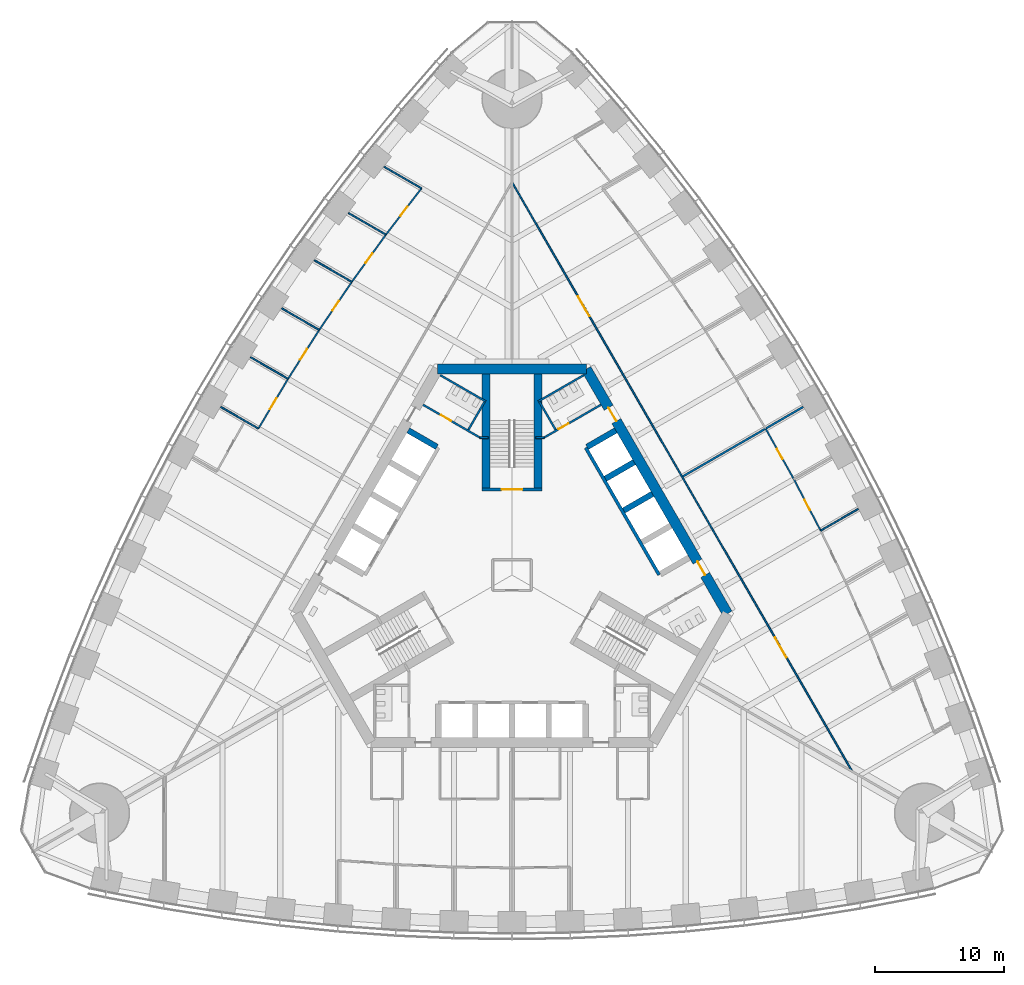
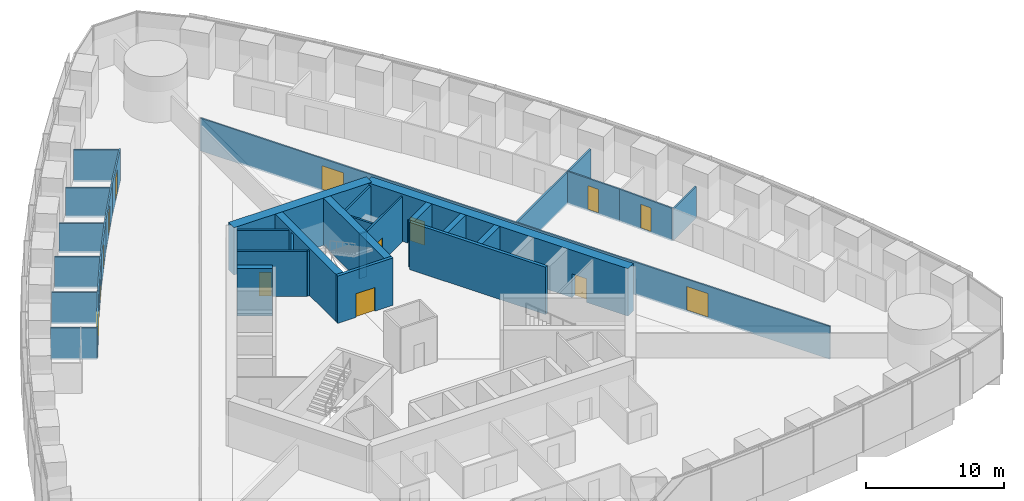
# One storey, part 12 of 18: 34 walls, 14 doors, 14 openings.
"""IFC4 building model written with IfcOpenShell, lengths in metres."""

from ifc_helpers import new_model, si_unit, direction, frame, frame_2d, origin, place, context, subcontext, project, spatial, rectangle, extrude, material, layer, layer_set, type_object, element, fill, save


model = new_model("IFC4")

# Units and contexts
model_context = context("Model", 3, precision=1e-05, world=origin(), true_north=direction((0.0, 1.0)))
body_context = subcontext(model_context, "Body", "Model", "MODEL_VIEW")
ifc_project = project(units=[si_unit("LENGTHUNIT", "METRE"), si_unit("AREAUNIT", "SQUARE_METRE"), si_unit("VOLUMEUNIT", "CUBIC_METRE"), si_unit("PLANEANGLEUNIT", "RADIAN"), si_unit("MASSUNIT", "GRAM", prefix="KILO")], contexts=[model_context])

# Site, building, storey
site_placement = place(None, origin())
site = spatial("IfcSite", under=ifc_project, at=site_placement, CompositionType="ELEMENT")
building_placement = place(site_placement, origin())
building = spatial("IfcBuilding", under=site, at=building_placement, Name="Trefoil Bronze Tower", CompositionType="ELEMENT")
storey_placement = place(building_placement, frame((0.0, 0.0, 75.300048828125)))
storey = spatial("IfcBuildingStorey", under=building, at=storey_placement, Name="L17", CompositionType="ELEMENT", Elevation=75.300048828125)

# Wall, openings, doors
ifc_material_1 = material(Name="Concrete B80", Category="concrete")
ifc_layer_1 = layer(ifc_material_1, 0.800048828125)
ifc_layer_set_1 = layer_set([ifc_layer_1], Name="Core wall 800")
wall_type_1 = type_object("IfcWallType", Name="Core wall 800", PredefinedType="SHEAR", material=ifc_layer_set_1)
wall_1_placement = place(storey_placement, frame((16.7431640625, -3.0, 0.0), z_axis=(0.0, 0.0, 1.0), x_axis=(-0.500002442456, 0.866023993627, 0.0)))
wall_1 = element("IfcWall", 1, at=wall_1_placement, inside=storey, type_object=wall_type_1, Name="Core long wall 2 L17", PredefinedType="SHEAR", context=body_context, shape_type="SweptSolid", body=[
    extrude(rectangle(XDim=21.939453125, YDim=0.800048828125, at=frame_2d((10.9697265625, 0.0))), origin(), (0.0, 0.0, 1.0), 4.199951171875),
])
opening_1_placement = place(wall_1_placement, frame((17.269775390625, 0.0, 0.0)))
opening_1 = element("IfcOpeningElement", 2, at=opening_1_placement, cuts=wall_1, Name="Opening D2", PredefinedType="OPENING", context=body_context, shape_type="SweptSolid", body=[
    extrude(rectangle(XDim=1.199951171875, YDim=2.10009765625, at=frame_2d((0.60009765625, 1.050048828125))), frame((0.0, 0.409912109375, 0.0), z_axis=(0.0, -1.0, 0.0), x_axis=(1.0, 0.0, 0.0)), (0.0, 0.0, 1.0), 0.820068359375),
])
opening_2_placement = place(wall_1_placement, frame((3.4697265625, 0.0, 0.0)))
opening_2 = element("IfcOpeningElement", 3, at=opening_2_placement, cuts=wall_1, Name="Opening D2", PredefinedType="OPENING", context=body_context, shape_type="SweptSolid", body=[
    extrude(rectangle(XDim=1.199951171875, YDim=2.10009765625, at=frame_2d((0.60009765625, 1.050048828125))), frame((0.0, 0.409912109375, 0.0), z_axis=(0.0, -1.0, 0.0), x_axis=(1.0, 0.0, 0.0)), (0.0, 0.0, 1.0), 0.820068359375),
])
ifc_material_2 = material(Name="Steel door", Category="steel")
door_type_1 = type_object("IfcDoorType", Name="Lobby door 1200", OperationType="SINGLE_SWING_RIGHT", PredefinedType="DOOR", material=ifc_material_2)
door_1_placement = place(opening_1_placement, origin())
door_1 = element("IfcDoor", 4, at=door_1_placement, inside=storey, type_object=door_type_1, Name="Lobby door F2+ L17", OperationType="SINGLE_SWING_RIGHT", OverallHeight=2.10009765625, OverallWidth=1.199951171875, PredefinedType="DOOR", context=body_context, shape_type="SweptSolid", body=[
    extrude(rectangle(XDim=1.199951171875, YDim=2.10009765625, at=frame_2d((0.60009765625, 1.050048828125))), frame((0.0, 0.02490234375, 0.0), z_axis=(0.0, -1.0, 0.0), x_axis=(1.0, 0.0, 0.0)), (0.0, 0.0, 1.0), 0.050048828125),
])
fill(opening_1, door_1)
door_2_placement = place(opening_2_placement, origin())
door_2 = element("IfcDoor", 5, at=door_2_placement, inside=storey, type_object=door_type_1, Name="Lobby door F2- L17", OperationType="SINGLE_SWING_LEFT", OverallHeight=2.10009765625, OverallWidth=1.199951171875, PredefinedType="DOOR", context=body_context, shape_type="SweptSolid", body=[
    extrude(rectangle(XDim=1.199951171875, YDim=2.10009765625, at=frame_2d((0.60009765625, 1.050048828125))), frame((0.0, 0.02490234375, 0.0), z_axis=(0.0, -1.0, 0.0), x_axis=(1.0, 0.0, 0.0)), (0.0, 0.0, 1.0), 0.050048828125),
])
fill(opening_2, door_2)

# Wall
wall_2_placement = place(storey_placement, frame((5.7734375, 16.0, 0.0), z_axis=(0.0, 0.0, 1.0), x_axis=(-1.0, 0.0, 0.0)))
element("IfcWall", 6, at=wall_2_placement, inside=storey, type_object=wall_type_1, Name="Core short wall 2 L17", PredefinedType="SHEAR", context=body_context, shape_type="SweptSolid", body=[
    extrude(rectangle(XDim=11.546875, YDim=0.800048828125, at=frame_2d((5.7734375, 0.0))), origin(), (0.0, 0.0, 1.0), 4.199951171875),
])

# Wall, openings, doors
ifc_material_3 = material(Name="Glazed partition", Category="glass")
ifc_layer_2 = layer(ifc_material_3, 0.1201171875)
ifc_layer_set_2 = layer_set([ifc_layer_2], Name="Glazed partition 120")
wall_type_2 = type_object("IfcWallType", Name="Glazed partition 120", PredefinedType="PARTITIONING", material=ifc_layer_set_2)
wall_3_placement = place(storey_placement, frame((26.41455078125, -15.2314453125, 0.0), z_axis=(0.0, 0.0, 1.0), x_axis=(-0.50000091641, 0.866024874695, 0.0)))
wall_3 = element("IfcWall", 7, at=wall_3_placement, inside=storey, type_object=wall_type_2, Name="Partition F2 L17", PredefinedType="PARTITIONING", context=body_context, shape_type="SweptSolid", body=[
    extrude(rectangle(XDim=52.79638671875, YDim=0.1201171875, at=frame_2d((26.398193359375, 0.0))), origin(), (0.0, 0.0, 1.0), 2.89990234375),
])
opening_3_placement = place(wall_3_placement, frame((10.199951171875, 0.0, 0.14990234375)))
opening_3 = element("IfcOpeningElement", 8, at=opening_3_placement, cuts=wall_3, Name="Opening D10", PredefinedType="OPENING", context=body_context, shape_type="SweptSolid", body=[
    extrude(rectangle(XDim=1.800048828125, YDim=2.10009765625, at=frame_2d((0.89990234375, 1.050048828125))), frame((0.0, 0.070068359375, 0.0), z_axis=(0.0, -1.0, 0.0), x_axis=(1.0, 0.0, 0.0)), (0.0, 0.0, 1.0), 0.14013671875),
])
opening_4_placement = place(wall_3_placement, frame((40.800048828125, 0.0, 0.14990234375)))
opening_4 = element("IfcOpeningElement", 9, at=opening_4_placement, cuts=wall_3, Name="Opening D10", PredefinedType="OPENING", context=body_context, shape_type="SweptSolid", body=[
    extrude(rectangle(XDim=1.800048828125, YDim=2.10009765625, at=frame_2d((0.89990234375, 1.050048828125))), frame((0.0, 0.070068359375, 0.0), z_axis=(0.0, -1.0, 0.0), x_axis=(1.0, 0.0, 0.0)), (0.0, 0.0, 1.0), 0.14013671875),
])
ifc_material_4 = material(Name="Timber door", Category="wood")
door_type_2 = type_object("IfcDoorType", Name="Double door 1800", OperationType="DOUBLE_DOOR_SINGLE_SWING", PredefinedType="DOOR", material=ifc_material_4)
door_3_placement = place(opening_3_placement, origin())
door_3 = element("IfcDoor", 10, at=door_3_placement, inside=storey, type_object=door_type_2, Name="Corridor door F2 L17", OperationType="DOUBLE_DOOR_SINGLE_SWING", OverallHeight=2.10009765625, OverallWidth=1.800048828125, PredefinedType="DOOR", context=body_context, shape_type="SweptSolid", body=[
    extrude(rectangle(XDim=1.800048828125, YDim=2.10009765625, at=frame_2d((0.89990234375, 1.050048828125))), frame((0.0, 0.02490234375, 0.0), z_axis=(0.0, -1.0, 0.0), x_axis=(1.0, 0.0, 0.0)), (0.0, 0.0, 1.0), 0.050048828125),
])
fill(opening_3, door_3)
door_4_placement = place(opening_4_placement, origin())
door_4 = element("IfcDoor", 11, at=door_4_placement, inside=storey, type_object=door_type_2, Name="Corridor door F2 L17", OperationType="DOUBLE_DOOR_SINGLE_SWING", OverallHeight=2.10009765625, OverallWidth=1.800048828125, PredefinedType="DOOR", context=body_context, shape_type="SweptSolid", body=[
    extrude(rectangle(XDim=1.800048828125, YDim=2.10009765625, at=frame_2d((0.89990234375, 1.050048828125))), frame((0.0, 0.02490234375, 0.0), z_axis=(0.0, -1.0, 0.0), x_axis=(1.0, 0.0, 0.0)), (0.0, 0.0, 1.0), 0.050048828125),
])
fill(opening_4, door_4)

# Wall, opening, door
wall_4_placement = place(storey_placement, frame((21.89453125, 7.444580078125, 0.0), z_axis=(0.0, 0.0, 1.0), x_axis=(-0.487415216275, 0.87317031955, 0.0)))
wall_4 = element("IfcWall", 12, at=wall_4_placement, inside=storey, type_object=wall_type_2, Name="Partition F2 L17", PredefinedType="PARTITIONING", context=body_context, shape_type="SweptSolid", body=[
    extrude(rectangle(XDim=4.50048828125, YDim=0.1201171875, at=frame_2d((2.250244140625, 0.0))), origin(), (0.0, 0.0, 1.0), 2.89990234375),
])
opening_5_placement = place(wall_4_placement, frame((1.800048828125, 0.0, 0.14990234375)))
opening_5 = element("IfcOpeningElement", 13, at=opening_5_placement, cuts=wall_4, Name="Opening D8", PredefinedType="OPENING", context=body_context, shape_type="SweptSolid", body=[
    extrude(rectangle(XDim=0.89990234375, YDim=2.10009765625, at=frame_2d((0.449951171875, 1.050048828125))), frame((0.0, 0.070068359375, 0.0), z_axis=(0.0, -1.0, 0.0), x_axis=(1.0, 0.0, 0.0)), (0.0, 0.0, 1.0), 0.14013671875),
])
ifc_material_5 = material(Name="Timber door", Category="wood")
door_type_3 = type_object("IfcDoorType", Name="Office door 900", OperationType="SINGLE_SWING_LEFT", PredefinedType="DOOR", material=ifc_material_5)
door_5_placement = place(opening_5_placement, frame((0.89990234375, 0.0, 0.0), z_axis=(0.0, 0.0, 1.0), x_axis=(-1.0, 0.0, 0.0)))
door_5 = element("IfcDoor", 14, at=door_5_placement, inside=storey, type_object=door_type_3, Name="Office door F2 L17", OperationType="SINGLE_SWING_RIGHT", OverallHeight=2.10009765625, OverallWidth=0.89990234375, PredefinedType="DOOR", context=body_context, shape_type="SweptSolid", body=[
    extrude(rectangle(XDim=0.89990234375, YDim=2.10009765625, at=frame_2d((0.449951171875, 1.050048828125))), frame((0.0, 0.02490234375, 0.0), z_axis=(0.0, -1.0, 0.0), x_axis=(1.0, 0.0, 0.0)), (0.0, 0.0, 1.0), 0.050048828125),
])
fill(opening_5, door_5)

wall_5_placement = place(storey_placement, frame((23.974609375, 3.449462890625, 0.0), z_axis=(0.0, 0.0, 1.0), x_axis=(-0.461810056307, 0.886978845235, 0.0)))
wall_5 = element("IfcWall", 15, at=wall_5_placement, inside=storey, type_object=wall_type_2, Name="Partition F2 L17", PredefinedType="PARTITIONING", context=body_context, shape_type="SweptSolid", body=[
    extrude(rectangle(XDim=4.504150390625, YDim=0.1201171875, at=frame_2d((2.251953125, 0.0))), origin(), (0.0, 0.0, 1.0), 2.89990234375),
])
opening_6_placement = place(wall_5_placement, frame((1.800048828125, 0.0, 0.14990234375)))
opening_6 = element("IfcOpeningElement", 16, at=opening_6_placement, cuts=wall_5, Name="Opening D8", PredefinedType="OPENING", context=body_context, shape_type="SweptSolid", body=[
    extrude(rectangle(XDim=0.89990234375, YDim=2.10009765625, at=frame_2d((0.449951171875, 1.050048828125))), frame((0.0, 0.070068359375, 0.0), z_axis=(0.0, -1.0, 0.0), x_axis=(1.0, 0.0, 0.0)), (0.0, 0.0, 1.0), 0.14013671875),
])
door_6_placement = place(opening_6_placement, frame((0.89990234375, 0.0, 0.0), z_axis=(0.0, 0.0, 1.0), x_axis=(-1.0, 0.0, 0.0)))
door_6 = element("IfcDoor", 17, at=door_6_placement, inside=storey, type_object=door_type_3, Name="Office door F2 L17", OperationType="SINGLE_SWING_RIGHT", OverallHeight=2.10009765625, OverallWidth=0.89990234375, PredefinedType="DOOR", context=body_context, shape_type="SweptSolid", body=[
    extrude(rectangle(XDim=0.89990234375, YDim=2.10009765625, at=frame_2d((0.449951171875, 1.050048828125))), frame((0.0, 0.02490234375, 0.0), z_axis=(0.0, -1.0, 0.0), x_axis=(1.0, 0.0, 0.0)), (0.0, 0.0, 1.0), 0.050048828125),
])
fill(opening_6, door_6)

# Wall
wall_6_placement = place(storey_placement, frame((23.974609375, 3.449462890625, 0.0), z_axis=(0.0, 0.0, 1.0), x_axis=(0.866039498442, 0.499975586543, 0.0)))
element("IfcWall", 18, at=wall_6_placement, inside=storey, type_object=wall_type_2, Name="Partition F2 L17", PredefinedType="PARTITIONING", context=body_context, shape_type="SweptSolid", body=[
    extrude(rectangle(XDim=3.367431640625, YDim=0.1201171875, at=frame_2d((1.68359375, 0.0))), origin(), (0.0, 0.0, 1.0), 2.800048828125),
])

# Wall, opening, door
wall_7_placement = place(storey_placement, frame((-12.441162109375, 22.771240234375, 0.0), z_axis=(0.0, 0.0, 1.0), x_axis=(-0.561512004239, -0.827468591002, 0.0)))
wall_7 = element("IfcWall", 19, at=wall_7_placement, inside=storey, type_object=wall_type_2, Name="Partition F3 L17", PredefinedType="PARTITIONING", context=body_context, shape_type="SweptSolid", body=[
    extrude(rectangle(XDim=4.51171875, YDim=0.1201171875, at=frame_2d((2.255859375, 0.0))), origin(), (0.0, 0.0, 1.0), 2.89990234375),
])
opening_7_placement = place(wall_7_placement, frame((1.800048828125, 0.0, 0.14990234375)))
opening_7 = element("IfcOpeningElement", 20, at=opening_7_placement, cuts=wall_7, Name="Opening D8", PredefinedType="OPENING", context=body_context, shape_type="SweptSolid", body=[
    extrude(rectangle(XDim=0.89990234375, YDim=2.10009765625, at=frame_2d((0.449951171875, 1.050048828125))), frame((0.0, 0.070068359375, 0.0), z_axis=(0.0, -1.0, 0.0), x_axis=(1.0, 0.0, 0.0)), (0.0, 0.0, 1.0), 0.14013671875),
])
door_7_placement = place(opening_7_placement, frame((0.89990234375, 0.0, 0.0), z_axis=(0.0, 0.0, 1.0), x_axis=(-1.0, 0.0, 0.0)))
door_7 = element("IfcDoor", 21, at=door_7_placement, inside=storey, type_object=door_type_3, Name="Office door F3 L17", OperationType="SINGLE_SWING_RIGHT", OverallHeight=2.10009765625, OverallWidth=0.89990234375, PredefinedType="DOOR", context=body_context, shape_type="SweptSolid", body=[
    extrude(rectangle(XDim=0.89990234375, YDim=2.10009765625, at=frame_2d((0.449951171875, 1.050048828125))), frame((0.0, 0.02490234375, 0.0), z_axis=(0.0, -1.0, 0.0), x_axis=(1.0, 0.0, 0.0)), (0.0, 0.0, 1.0), 0.050048828125),
])
fill(opening_7, door_7)

wall_8_placement = place(storey_placement, frame((-9.793212890625, 26.438720703125, 0.0), z_axis=(0.0, 0.0, 1.0), x_axis=(-0.585376255171, -0.810761765183, 0.0)))
wall_8 = element("IfcWall", 22, at=wall_8_placement, inside=storey, type_object=wall_type_2, Name="Partition F3 L17", PredefinedType="PARTITIONING", context=body_context, shape_type="SweptSolid", body=[
    extrude(rectangle(XDim=4.5234375, YDim=0.1201171875, at=frame_2d((2.26171875, 0.0))), origin(), (0.0, 0.0, 1.0), 2.89990234375),
])
opening_8_placement = place(wall_8_placement, frame((1.800048828125, 0.0, 0.14990234375)))
opening_8 = element("IfcOpeningElement", 23, at=opening_8_placement, cuts=wall_8, Name="Opening D8", PredefinedType="OPENING", context=body_context, shape_type="SweptSolid", body=[
    extrude(rectangle(XDim=0.89990234375, YDim=2.10009765625, at=frame_2d((0.449951171875, 1.050048828125))), frame((0.0, 0.070068359375, 0.0), z_axis=(0.0, -1.0, 0.0), x_axis=(1.0, 0.0, 0.0)), (0.0, 0.0, 1.0), 0.14013671875),
])
door_8_placement = place(opening_8_placement, frame((0.89990234375, 0.0, 0.0), z_axis=(0.0, 0.0, 1.0), x_axis=(-1.0, 0.0, 0.0)))
door_8 = element("IfcDoor", 24, at=door_8_placement, inside=storey, type_object=door_type_3, Name="Office door F3 L17", OperationType="SINGLE_SWING_RIGHT", OverallHeight=2.10009765625, OverallWidth=0.89990234375, PredefinedType="DOOR", context=body_context, shape_type="SweptSolid", body=[
    extrude(rectangle(XDim=0.89990234375, YDim=2.10009765625, at=frame_2d((0.449951171875, 1.050048828125))), frame((0.0, 0.02490234375, 0.0), z_axis=(0.0, -1.0, 0.0), x_axis=(1.0, 0.0, 0.0)), (0.0, 0.0, 1.0), 0.050048828125),
])
fill(opening_8, door_8)

wall_9_placement = place(storey_placement, frame((-7.030029296875, 30.03955078125, 0.0), z_axis=(0.0, 0.0, 1.0), x_axis=(-0.608784932975, -0.79333530451, 0.0)))
wall_9 = element("IfcWall", 25, at=wall_9_placement, inside=storey, type_object=wall_type_2, Name="Partition F3 L17", PredefinedType="PARTITIONING", context=body_context, shape_type="SweptSolid", body=[
    extrude(rectangle(XDim=4.538818359375, YDim=0.1201171875, at=frame_2d((2.26953125, 0.0))), origin(), (0.0, 0.0, 1.0), 2.89990234375),
])
opening_9_placement = place(wall_9_placement, frame((1.800048828125, 0.0, 0.14990234375)))
opening_9 = element("IfcOpeningElement", 26, at=opening_9_placement, cuts=wall_9, Name="Opening D8", PredefinedType="OPENING", context=body_context, shape_type="SweptSolid", body=[
    extrude(rectangle(XDim=0.89990234375, YDim=2.10009765625, at=frame_2d((0.449951171875, 1.050048828125))), frame((0.0, 0.070068359375, 0.0), z_axis=(0.0, -1.0, 0.0), x_axis=(1.0, 0.0, 0.0)), (0.0, 0.0, 1.0), 0.14013671875),
])
door_9_placement = place(opening_9_placement, frame((0.89990234375, 0.0, 0.0), z_axis=(0.0, 0.0, 1.0), x_axis=(-1.0, 0.0, 0.0)))
door_9 = element("IfcDoor", 27, at=door_9_placement, inside=storey, type_object=door_type_3, Name="Office door F3 L17", OperationType="SINGLE_SWING_RIGHT", OverallHeight=2.10009765625, OverallWidth=0.89990234375, PredefinedType="DOOR", context=body_context, shape_type="SweptSolid", body=[
    extrude(rectangle(XDim=0.89990234375, YDim=2.10009765625, at=frame_2d((0.449951171875, 1.050048828125))), frame((0.0, 0.02490234375, 0.0), z_axis=(0.0, -1.0, 0.0), x_axis=(1.0, 0.0, 0.0)), (0.0, 0.0, 1.0), 0.050048828125),
])
fill(opening_9, door_9)

wall_10_placement = place(storey_placement, frame((-17.39453125, 15.23876953125, 0.0), z_axis=(0.0, 0.0, 1.0), x_axis=(-0.512483962191, -0.858696796604, 0.0)))
wall_10 = element("IfcWall", 28, at=wall_10_placement, inside=storey, type_object=wall_type_2, Name="Partition F3 L17", PredefinedType="PARTITIONING", context=body_context, shape_type="SweptSolid", body=[
    extrude(rectangle(XDim=4.50048828125, YDim=0.1201171875, at=frame_2d((2.250244140625, 0.0))), origin(), (0.0, 0.0, 1.0), 2.89990234375),
])
opening_10_placement = place(wall_10_placement, frame((1.75, 0.0, 0.14990234375)))
opening_10 = element("IfcOpeningElement", 29, at=opening_10_placement, cuts=wall_10, Name="Opening D9", PredefinedType="OPENING", context=body_context, shape_type="SweptSolid", body=[
    extrude(rectangle(XDim=1.0, YDim=2.10009765625, at=frame_2d((0.5, 1.050048828125))), frame((0.0, 0.070068359375, 0.0), z_axis=(0.0, -1.0, 0.0), x_axis=(1.0, 0.0, 0.0)), (0.0, 0.0, 1.0), 0.14013671875),
])
ifc_material_6 = material(Name="Glazed timber door", Category="wood")
door_type_4 = type_object("IfcDoorType", Name="Meeting room door 1000", OperationType="SINGLE_SWING_LEFT", PredefinedType="DOOR", material=ifc_material_6)
door_10_placement = place(opening_10_placement, frame((1.0, 0.0, 0.0), z_axis=(0.0, 0.0, 1.0), x_axis=(-1.0, 0.0, 0.0)))
door_10 = element("IfcDoor", 30, at=door_10_placement, inside=storey, type_object=door_type_4, Name="Meeting room door F3 L17", OperationType="SINGLE_SWING_RIGHT", OverallHeight=2.10009765625, OverallWidth=1.0, PredefinedType="DOOR", context=body_context, shape_type="SweptSolid", body=[
    extrude(rectangle(XDim=1.0, YDim=2.10009765625, at=frame_2d((0.5, 1.050048828125))), frame((0.0, 0.02490234375, 0.0), z_axis=(0.0, -1.0, 0.0), x_axis=(1.0, 0.0, 0.0)), (0.0, 0.0, 1.0), 0.050048828125),
])
fill(opening_10, door_10)

wall_11_placement = place(storey_placement, frame((-14.974609375, 19.037841796875, 0.0), z_axis=(0.0, 0.0, 1.0), x_axis=(-0.537243691336, -0.843427066272, 0.0)))
wall_11 = element("IfcWall", 31, at=wall_11_placement, inside=storey, type_object=wall_type_2, Name="Partition F3 L17", PredefinedType="PARTITIONING", context=body_context, shape_type="SweptSolid", body=[
    extrude(rectangle(XDim=4.50439453125, YDim=0.1201171875, at=frame_2d((2.252197265625, 0.0))), origin(), (0.0, 0.0, 1.0), 2.89990234375),
])
opening_11_placement = place(wall_11_placement, frame((1.75, 0.0, 0.14990234375)))
opening_11 = element("IfcOpeningElement", 32, at=opening_11_placement, cuts=wall_11, Name="Opening D9", PredefinedType="OPENING", context=body_context, shape_type="SweptSolid", body=[
    extrude(rectangle(XDim=1.0, YDim=2.10009765625, at=frame_2d((0.5, 1.050048828125))), frame((0.0, 0.070068359375, 0.0), z_axis=(0.0, -1.0, 0.0), x_axis=(1.0, 0.0, 0.0)), (0.0, 0.0, 1.0), 0.14013671875),
])
door_11_placement = place(opening_11_placement, frame((1.0, 0.0, 0.0), z_axis=(0.0, 0.0, 1.0), x_axis=(-1.0, 0.0, 0.0)))
door_11 = element("IfcDoor", 33, at=door_11_placement, inside=storey, type_object=door_type_4, Name="Meeting room door F3 L17", OperationType="SINGLE_SWING_RIGHT", OverallHeight=2.10009765625, OverallWidth=1.0, PredefinedType="DOOR", context=body_context, shape_type="SweptSolid", body=[
    extrude(rectangle(XDim=1.0, YDim=2.10009765625, at=frame_2d((0.5, 1.050048828125))), frame((0.0, 0.02490234375, 0.0), z_axis=(0.0, -1.0, 0.0), x_axis=(1.0, 0.0, 0.0)), (0.0, 0.0, 1.0), 0.050048828125),
])
fill(opening_11, door_11)

# Walls
wall_12_placement = place(storey_placement, frame((-19.700927734375, 11.374267578125, 0.0), z_axis=(0.0, 0.0, 1.0), x_axis=(-0.866014270972, 0.500019282102, 0.0)))
element("IfcWall", 34, at=wall_12_placement, inside=storey, type_object=wall_type_2, Name="Partition F3 L17", PredefinedType="PARTITIONING", context=body_context, shape_type="SweptSolid", body=[
    extrude(rectangle(XDim=3.369873046875, YDim=0.1201171875, at=frame_2d((1.68505859375, 0.0))), origin(), (0.0, 0.0, 1.0), 2.800048828125),
])
wall_13_placement = place(storey_placement, frame((-12.441162109375, 22.771240234375, 0.0), z_axis=(0.0, 0.0, 1.0), x_axis=(-0.865992196602, 0.500057512117, 0.0)))
element("IfcWall", 35, at=wall_13_placement, inside=storey, type_object=wall_type_2, Name="Partition F3 L17", PredefinedType="PARTITIONING", context=body_context, shape_type="SweptSolid", body=[
    extrude(rectangle(XDim=3.36376953125, YDim=0.1201171875, at=frame_2d((1.681884765625, 0.0))), origin(), (0.0, 0.0, 1.0), 2.599853515625),
])
wall_14_placement = place(storey_placement, frame((-9.793212890625, 26.438720703125, 0.0), z_axis=(0.0, 0.0, 1.0), x_axis=(-0.866029446706, 0.499992997389, 0.0)))
element("IfcWall", 36, at=wall_14_placement, inside=storey, type_object=wall_type_2, Name="Partition F3 L17", PredefinedType="PARTITIONING", context=body_context, shape_type="SweptSolid", body=[
    extrude(rectangle(XDim=3.35888671875, YDim=0.1201171875, at=frame_2d((1.679443359375, 0.0))), origin(), (0.0, 0.0, 1.0), 2.599853515625),
])
wall_15_placement = place(storey_placement, frame((-7.030029296875, 30.03955078125, 0.0), z_axis=(0.0, 0.0, 1.0), x_axis=(-0.866038859646, 0.49997669304, 0.0)))
element("IfcWall", 37, at=wall_15_placement, inside=storey, type_object=wall_type_2, Name="Partition F3 L17", PredefinedType="PARTITIONING", context=body_context, shape_type="SweptSolid", body=[
    extrude(rectangle(XDim=3.352783203125, YDim=0.1201171875, at=frame_2d((1.67626953125, 0.0))), origin(), (0.0, 0.0, 1.0), 2.800048828125),
])
wall_16_placement = place(storey_placement, frame((-17.39453125, 15.23876953125, 0.0), z_axis=(0.0, 0.0, 1.0), x_axis=(-0.865991297194, 0.500059069696, 0.0)))
element("IfcWall", 38, at=wall_16_placement, inside=storey, type_object=wall_type_2, Name="Partition F3 L17", PredefinedType="PARTITIONING", context=body_context, shape_type="SweptSolid", body=[
    extrude(rectangle(XDim=3.369140625, YDim=0.1201171875, at=frame_2d((1.6845703125, 0.0))), origin(), (0.0, 0.0, 1.0), 2.800048828125),
])
wall_17_placement = place(storey_placement, frame((-14.974609375, 19.037841796875, 0.0), z_axis=(0.0, 0.0, 1.0), x_axis=(-0.866039498442, 0.499975586543, 0.0)))
element("IfcWall", 39, at=wall_17_placement, inside=storey, type_object=wall_type_2, Name="Partition F3 L17", PredefinedType="PARTITIONING", context=body_context, shape_type="SweptSolid", body=[
    extrude(rectangle(XDim=3.367431640625, YDim=0.1201171875, at=frame_2d((1.68359375, 0.0))), origin(), (0.0, 0.0, 1.0), 2.800048828125),
])
ifc_material_7 = material(Name="Concrete B80", Category="concrete")
ifc_layer_3 = layer(ifc_material_7, 0.449951171875)
ifc_layer_set_3 = layer_set([ifc_layer_3], Name="Outrigger shaft wall 450")
wall_type_3 = type_object("IfcWallType", Name="Outrigger shaft wall 450", PredefinedType="SHEAR", material=ifc_layer_set_3)
for number, where, z_axis, x_axis, name in (
    (40, (8.681884765625, 5.012451171875, 0.0), (0.0, 0.0, 1.0), (0.866005588531, 0.500034319456, 0.0), "Lift shaft side wall B2 L17"),
    (41, (7.2568359375, 7.480712890625, 0.0), (0.0, 0.0, 1.0), (0.866046643894, 0.499963209246, 0.0), "Lift shaft side wall B3 L17"),
):
    element("IfcWall", number, at=place(storey_placement, frame(where, z_axis=z_axis, x_axis=x_axis)), inside=storey, type_object=wall_type_3, Name=name, PredefinedType="SHEAR", context=body_context, shape_type="SweptSolid", body=[
        extrude(rectangle(XDim=2.574951171875, YDim=0.449951171875, at=frame_2d((1.28759765625, 0.0))), origin(), (0.0, 0.0, 1.0), 4.199951171875),
    ])
for number, where, z_axis, x_axis, name in (
    (42, (5.831787109375, 9.94873046875, 0.0), (0.0, 0.0, 1.0), (0.866029291668, 0.499993265928, 0.0), "Lift shaft side wall B4 L17"),
    (43, (-5.831787109375, 9.94873046875, 0.0), (0.0, 0.0, 1.0), (-0.866029291668, 0.499993265928, 0.0), "Lift shaft side wall C0 L17"),
):
    element("IfcWall", number, at=place(storey_placement, frame(where, z_axis=z_axis, x_axis=x_axis)), inside=storey, type_object=wall_type_3, Name=name, PredefinedType="SHEAR", context=body_context, shape_type="SweptSolid", body=[
        extrude(rectangle(XDim=2.5751953125, YDim=0.449951171875, at=frame_2d((1.28759765625, 0.0))), origin(), (0.0, 0.0, 1.0), 4.199951171875),
    ])

# Wall, opening, door
ifc_material_8 = material(Name="Gypsum board on steel studs", Category="steel")
ifc_layer_4 = layer(ifc_material_8, 0.14990234375)
ifc_layer_set_4 = layer_set([ifc_layer_4], Name="Partition 150")
wall_type_4 = type_object("IfcWallType", Name="Partition 150", PredefinedType="PARTITIONING", material=ifc_layer_set_4)
wall_18_placement = place(storey_placement, frame((2.4951171875, 10.67822265625, 0.0), z_axis=(0.0, 0.0, 1.0), x_axis=(0.86602216432, 0.500005610874, 0.0)))
wall_18 = element("IfcWall", 44, at=wall_18_placement, inside=storey, type_object=wall_type_4, Name="Passage wall F2+ L17", PredefinedType="PARTITIONING", context=body_context, shape_type="SweptSolid", body=[
    extrude(rectangle(XDim=5.10009765625, YDim=0.14990234375, at=frame_2d((2.550048828125, 0.0))), origin(), (0.0, 0.0, 1.0), 4.0),
])
opening_12_placement = place(wall_18_placement, frame((1.300048828125, 0.0, 0.0)))
opening_12 = element("IfcOpeningElement", 45, at=opening_12_placement, cuts=wall_18, Name="Opening D3", PredefinedType="OPENING", context=body_context, shape_type="SweptSolid", body=[
    extrude(rectangle(XDim=0.89990234375, YDim=2.10009765625, at=frame_2d((0.449951171875, 1.050048828125))), frame((0.0, 0.0849609375, 0.0), z_axis=(0.0, -1.0, 0.0), x_axis=(1.0, 0.0, 0.0)), (0.0, 0.0, 1.0), 0.169921875),
])
ifc_material_9 = material(Name="Timber door", Category="wood")
door_type_5 = type_object("IfcDoorType", Name="WC door 900", OperationType="SINGLE_SWING_LEFT", PredefinedType="DOOR", material=ifc_material_9)
door_12_placement = place(opening_12_placement, origin())
door_12 = element("IfcDoor", 46, at=door_12_placement, inside=storey, type_object=door_type_5, Name="WC (men) door L17", OperationType="SINGLE_SWING_LEFT", OverallHeight=2.10009765625, OverallWidth=0.89990234375, PredefinedType="DOOR", context=body_context, shape_type="SweptSolid", body=[
    extrude(rectangle(XDim=0.89990234375, YDim=2.10009765625, at=frame_2d((0.449951171875, 1.050048828125))), frame((0.0, 0.02490234375, 0.0), z_axis=(0.0, -1.0, 0.0), x_axis=(1.0, 0.0, 0.0)), (0.0, 0.0, 1.0), 0.050048828125),
])
fill(opening_12, door_12)

wall_19_placement = place(storey_placement, frame((-2.4951171875, 10.67822265625, 0.0), z_axis=(0.0, 0.0, 1.0), x_axis=(-0.86602216432, 0.500005610874, 0.0)))
wall_19 = element("IfcWall", 47, at=wall_19_placement, inside=storey, type_object=wall_type_4, Name="Passage wall F3- L17", PredefinedType="PARTITIONING", context=body_context, shape_type="SweptSolid", body=[
    extrude(rectangle(XDim=5.10009765625, YDim=0.14990234375, at=frame_2d((2.550048828125, 0.0))), origin(), (0.0, 0.0, 1.0), 4.0),
])
opening_13_placement = place(wall_19_placement, frame((2.60009765625, 0.0, 0.0)))
opening_13 = element("IfcOpeningElement", 48, at=opening_13_placement, cuts=wall_19, Name="Opening D3", PredefinedType="OPENING", context=body_context, shape_type="SweptSolid", body=[
    extrude(rectangle(XDim=0.89990234375, YDim=2.10009765625, at=frame_2d((0.449951171875, 1.050048828125))), frame((0.0, 0.0849609375, 0.0), z_axis=(0.0, -1.0, 0.0), x_axis=(1.0, 0.0, 0.0)), (0.0, 0.0, 1.0), 0.169921875),
])
door_13_placement = place(opening_13_placement, frame((0.89990234375, 0.0, 0.0), z_axis=(0.0, 0.0, 1.0), x_axis=(-1.0, 0.0, 0.0)))
door_13 = element("IfcDoor", 49, at=door_13_placement, inside=storey, type_object=door_type_5, Name="WC (women) door L17", OperationType="SINGLE_SWING_RIGHT", OverallHeight=2.10009765625, OverallWidth=0.89990234375, PredefinedType="DOOR", context=body_context, shape_type="SweptSolid", body=[
    extrude(rectangle(XDim=0.89990234375, YDim=2.10009765625, at=frame_2d((0.449951171875, 1.050048828125))), frame((0.0, 0.02490234375, 0.0), z_axis=(0.0, -1.0, 0.0), x_axis=(1.0, 0.0, 0.0)), (0.0, 0.0, 1.0), 0.050048828125),
])
fill(opening_13, door_13)

# Walls
for number, where, z_axis, x_axis, name in (
    (50, (2.4951171875, 10.67822265625, 0.0), (0.0, 0.0, 1.0), (-1.0, 0.0, 0.0), "WC wall ST2-1 L17"),
    (51, (-2.4951171875, 10.67822265625, 0.0), (0.0, 0.0, 1.0), (1.0, 0.0, 0.0), "WC wall ST2+1 L17"),
):
    element("IfcWall", number, at=place(storey_placement, frame(where, z_axis=z_axis, x_axis=x_axis)), inside=storey, type_object=wall_type_4, Name=name, PredefinedType="PARTITIONING", context=body_context, shape_type="SweptSolid", body=[
        extrude(rectangle(XDim=0.64501953125, YDim=0.14990234375, at=frame_2d((0.322509765625, 0.0))), origin(), (0.0, 0.0, 1.0), 4.0),
    ])
wall_20_placement = place(storey_placement, frame((2.03125, 13.48193359375, 0.0), z_axis=(0.0, 0.0, 1.0), x_axis=(0.866050731258, 0.499956128963, 0.0)))
element("IfcWall", 52, at=wall_20_placement, inside=storey, type_object=wall_type_4, Name="WC partition WC (men) L17", PredefinedType="PARTITIONING", context=body_context, shape_type="SweptSolid", body=[
    extrude(rectangle(XDim=4.099853515625, YDim=0.14990234375, at=frame_2d((2.0498046875, 0.0))), origin(), (0.0, 0.0, 1.0), 4.0),
])
wall_21_placement = place(storey_placement, frame((3.388671875, 11.28076171875, 0.0), z_axis=(0.0, 0.0, 1.0), x_axis=(-0.499989096993, 0.866031698547, 0.0)))
element("IfcWall", 53, at=wall_21_placement, inside=storey, type_object=wall_type_4, Name="WC partition WC (men) L17", PredefinedType="PARTITIONING", context=body_context, shape_type="SweptSolid", body=[
    extrude(rectangle(XDim=2.509765625, YDim=0.14990234375, at=frame_2d((1.2548828125, 0.0))), origin(), (0.0, 0.0, 1.0), 4.0),
])
wall_22_placement = place(storey_placement, frame((-2.03125, 13.48193359375, 0.0), z_axis=(0.0, 0.0, 1.0), x_axis=(-0.866050731258, 0.499956128963, 0.0)))
element("IfcWall", 54, at=wall_22_placement, inside=storey, type_object=wall_type_4, Name="WC partition WC (women) L17", PredefinedType="PARTITIONING", context=body_context, shape_type="SweptSolid", body=[
    extrude(rectangle(XDim=4.099853515625, YDim=0.14990234375, at=frame_2d((2.0498046875, 0.0))), origin(), (0.0, 0.0, 1.0), 4.0),
])
wall_23_placement = place(storey_placement, frame((-3.388671875, 11.28076171875, 0.0), z_axis=(0.0, 0.0, 1.0), x_axis=(0.499989096993, 0.866031698547, 0.0)))
element("IfcWall", 55, at=wall_23_placement, inside=storey, type_object=wall_type_4, Name="WC partition WC (women) L17", PredefinedType="PARTITIONING", context=body_context, shape_type="SweptSolid", body=[
    extrude(rectangle(XDim=2.509765625, YDim=0.14990234375, at=frame_2d((1.2548828125, 0.0))), origin(), (0.0, 0.0, 1.0), 4.0),
])
ifc_material_10 = material(Name="Gypsum board on steel studs", Category="steel")
ifc_layer_5 = layer(ifc_material_10, 0.14990234375)
ifc_layer_set_5 = layer_set([ifc_layer_5], Name="Party wall 150")
wall_type_5 = type_object("IfcWallType", Name="Party wall 150", PredefinedType="PARTITIONING", material=ifc_layer_set_5)
wall_24_placement = place(storey_placement, frame((13.267578125, 7.659912109375, 0.0), z_axis=(0.0, 0.0, 1.0), x_axis=(0.866019550038, 0.50001013885, 0.0)))
element("IfcWall", 56, at=wall_24_placement, inside=storey, type_object=wall_type_5, Name="Demising wall F2 L17", PredefinedType="PARTITIONING", context=body_context, shape_type="SweptSolid", body=[
    extrude(rectangle(XDim=10.798583984375, YDim=0.14990234375, at=frame_2d((5.3994140625, 0.0))), origin(), (0.0, 0.0, 1.0), 2.800048828125),
])
ifc_material_11 = material(Name="Concrete B80", Category="concrete")
ifc_layer_6 = layer(ifc_material_11, 0.25)
ifc_layer_set_6 = layer_set([ifc_layer_6], Name="Shaft wall 250")
wall_type_6 = type_object("IfcWallType", Name="Shaft wall 250", PredefinedType="SHEAR", material=ifc_layer_set_6)
wall_25_placement = place(storey_placement, frame((11.423583984375, 0.013671875, 0.0), z_axis=(0.0, 0.0, 1.0), x_axis=(-0.500001763848, 0.866024385424, 0.0)))
element("IfcWall", 57, at=wall_25_placement, inside=storey, type_object=wall_type_6, Name="Lift shaft front wall B L17", PredefinedType="SHEAR", context=body_context, shape_type="SweptSolid", body=[
    extrude(rectangle(XDim=11.39990234375, YDim=0.25, at=frame_2d((5.699951171875, 0.0))), origin(), (0.0, 0.0, 1.0), 4.199951171875),
])

# Wall, opening, door
wall_26_placement = place(storey_placement, frame((2.324951171875, 6.64990234375, 0.0), z_axis=(0.0, 0.0, 1.0), x_axis=(-1.0, 0.0, 0.0)))
wall_26 = element("IfcWall", 58, at=wall_26_placement, inside=storey, type_object=wall_type_6, Name="Stair end wall ST2 L17", PredefinedType="SHEAR", context=body_context, shape_type="SweptSolid", body=[
    extrude(rectangle(XDim=4.64990234375, YDim=0.25, at=frame_2d((2.324951171875, 0.0))), origin(), (0.0, 0.0, 1.0), 4.199951171875),
])
opening_14_placement = place(wall_26_placement, frame((1.52490234375, 0.0, 0.0)))
opening_14 = element("IfcOpeningElement", 59, at=opening_14_placement, cuts=wall_26, Name="Opening D1", PredefinedType="OPENING", context=body_context, shape_type="SweptSolid", body=[
    extrude(rectangle(XDim=1.60009765625, YDim=2.10009765625, at=frame_2d((0.800048828125, 1.050048828125))), frame((0.0, 0.135009765625, 0.0), z_axis=(0.0, -1.0, 0.0), x_axis=(1.0, 0.0, 0.0)), (0.0, 0.0, 1.0), 0.27001953125),
])
ifc_material_12 = material(Name="Steel door", Category="steel")
door_type_6 = type_object("IfcDoorType", Name="Stair door 1600", OperationType="DOUBLE_DOOR_SINGLE_SWING", PredefinedType="DOOR", material=ifc_material_12)
door_14_placement = place(opening_14_placement, frame((1.60009765625, 0.0, 0.0), z_axis=(0.0, 0.0, 1.0), x_axis=(-1.0, 0.0, 0.0)))
door_14 = element("IfcDoor", 60, at=door_14_placement, inside=storey, type_object=door_type_6, Name="Stair door ST2 L17", OperationType="DOUBLE_DOOR_SINGLE_SWING", OverallHeight=2.10009765625, OverallWidth=1.60009765625, PredefinedType="DOOR", context=body_context, shape_type="SweptSolid", body=[
    extrude(rectangle(XDim=1.60009765625, YDim=2.10009765625, at=frame_2d((0.800048828125, 1.050048828125))), frame((0.0, 0.02490234375, 0.0), z_axis=(0.0, -1.0, 0.0), x_axis=(1.0, 0.0, 0.0)), (0.0, 0.0, 1.0), 0.050048828125),
])
fill(opening_14, door_14)

# Walls
ifc_material_13 = material(Name="Concrete B80", Category="concrete")
ifc_layer_7 = layer(ifc_material_13, 0.60009765625)
ifc_layer_set_7 = layer_set([ifc_layer_7], Name="Stair wall 600")
wall_type_7 = type_object("IfcWallType", Name="Stair wall 600", PredefinedType="SHEAR", material=ifc_layer_set_7)
for number, where, z_axis, x_axis, name in (
    (61, (2.02490234375, 6.52490234375, 0.0), (0.0, 0.0, 1.0), (0.0, 1.0, 0.0), "Stair wall ST2 L17"),
    (62, (-2.02490234375, 6.52490234375, 0.0), (0.0, 0.0, 1.0), (0.0, 1.0, 0.0), "Stair wall ST2 L17"),
):
    element("IfcWall", number, at=place(storey_placement, frame(where, z_axis=z_axis, x_axis=x_axis)), inside=storey, type_object=wall_type_7, Name=name, PredefinedType="SHEAR", context=body_context, shape_type="SweptSolid", body=[
        extrude(rectangle(XDim=9.0751953125, YDim=0.60009765625, at=frame_2d((4.53759765625, 0.0))), origin(), (0.0, 0.0, 1.0), 4.199951171875),
    ])

save(model, "model.ifc")
